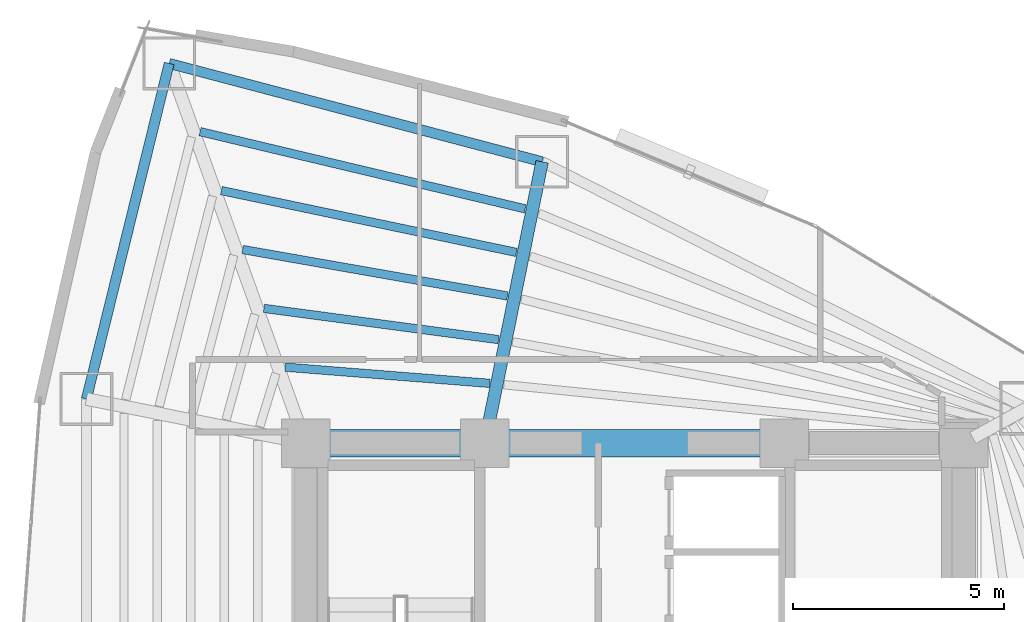
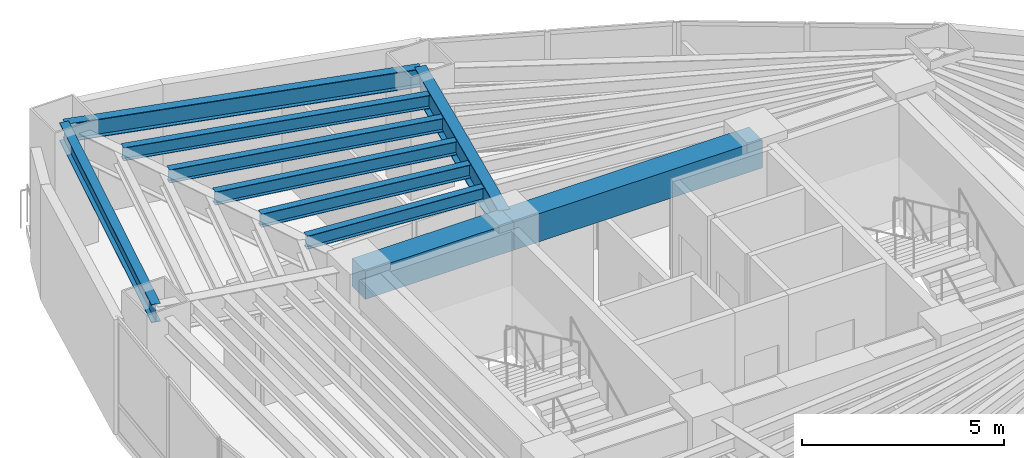
# One storey, part 8 of 18: 10 beams.
"""IFC4 building model written with IfcOpenShell, lengths in metres."""

from ifc_helpers import new_model, si_unit, direction, frame, origin, origin_2d, place, context, subcontext, project, spatial, rectangle, i_section, extrude, material, material_profile, profile_set, type_object, element, save


model = new_model("IFC4")

# Units and contexts
model_context = context("Model", 3, precision=1e-05, world=origin(), true_north=direction((0.0, 1.0)))
body_context = subcontext(model_context, "Body", "Model", "MODEL_VIEW")
ifc_project = project(units=[si_unit("LENGTHUNIT", "METRE"), si_unit("AREAUNIT", "SQUARE_METRE"), si_unit("VOLUMEUNIT", "CUBIC_METRE"), si_unit("PLANEANGLEUNIT", "RADIAN"), si_unit("MASSUNIT", "GRAM", prefix="KILO")], contexts=[model_context])

# Site, building, storey
site_placement = place(None, origin())
site = spatial("IfcSite", under=ifc_project, at=site_placement, CompositionType="ELEMENT")
building_placement = place(site_placement, origin())
building = spatial("IfcBuilding", under=site, at=building_placement, Name="Menara Vayukalpa", CompositionType="ELEMENT")
storey_placement = place(building_placement, frame((0.0, 0.0, 130.02001953125)))
storey = spatial("IfcBuildingStorey", under=building, at=storey_placement, Name="L32", CompositionType="ELEMENT", Elevation=130.02001953125)

# Beams
ifc_material_1 = material(Name="Concrete C60/75", Category="concrete")
ifc_material_profile_1 = material_profile(ifc_material_1, rectangle(XDim=0.64990234375, YDim=0.85009765625, at=origin_2d()), Name="RC 650x850")
ifc_profile_set_1 = profile_set([ifc_material_profile_1], Name="Concrete C60/75")
beam_type_1 = type_object("IfcBeamType", Name="BM-CB1", PredefinedType="BEAM", material=ifc_profile_set_1)
beam_1_placement = place(storey_placement, frame((17.800048828125, 26.800048828125, 3.044921875), z_axis=(1.0, 0.0, 0.0), x_axis=(0.0, 1.0, 0.0)))
element("IfcBeam", 1, at=beam_1_placement, inside=storey, type_object=beam_type_1, Name="L32 Core Tie Beam CBR4", PredefinedType="BEAM", context=body_context, shape_type="SweptSolid", body=[
    extrude(rectangle(XDim=0.64990234375, YDim=0.85009765625, at=origin_2d()), origin(), (0.0, 0.0, 1.0), 4.25),
])
beam_2_placement = place(storey_placement, frame((22.050048828125, 26.800048828125, 3.044921875), z_axis=(1.0, 0.0, 0.0), x_axis=(0.0, 1.0, 0.0)))
element("IfcBeam", 2, at=beam_2_placement, inside=storey, type_object=beam_type_1, Name="L32 Core Tie Beam CBR5", PredefinedType="BEAM", context=body_context, shape_type="SweptSolid", body=[
    extrude(rectangle(XDim=0.64990234375, YDim=0.85009765625, at=origin_2d()), origin(), (0.0, 0.0, 1.0), 7.099853515625),
])
ifc_material_2 = material(Name="Steel S355", Category="steel")
ifc_material_profile_2 = material_profile(ifc_material_2, i_section(OverallWidth=0.300048828125, OverallDepth=0.800048828125, WebThickness=0.013916015625, FlangeThickness=0.02587890625, at=origin_2d()), Name="WF 800x300x14x26")
ifc_profile_set_2 = profile_set([ifc_material_profile_2], Name="Steel S355")
beam_type_2 = type_object("IfcBeamType", Name="BM-PG3", PredefinedType="BEAM", material=ifc_profile_set_2)
beam_3_placement = place(storey_placement, frame((22.099853515625, 27.044921875, 3.070068359375), z_axis=(0.199617728418, 0.9798738503, 0.0), x_axis=(-0.9798738503, 0.199617728418, 0.0)))
element("IfcBeam", 3, at=beam_3_placement, inside=storey, type_object=beam_type_2, Name="L32 Primary Radial Girder RG03", PredefinedType="BEAM", context=body_context, shape_type="SweptSolid", body=[
    extrude(i_section(OverallWidth=0.300048828125, OverallDepth=0.800048828125, WebThickness=0.013916015625, FlangeThickness=0.02587890625, at=origin_2d()), origin(), (0.0, 0.0, 1.0), 6.55419921875),
])
ifc_material_3 = material(Name="Steel S355", Category="steel")
ifc_material_profile_3 = material_profile(ifc_material_3, i_section(OverallWidth=0.199951171875, OverallDepth=0.39990234375, WebThickness=0.008056640625, FlangeThickness=0.012939453125, at=origin_2d()), Name="WF 400x200x8x13")
ifc_profile_set_3 = profile_set([ifc_material_profile_3], Name="Steel S355")
beam_type_3 = type_object("IfcBeamType", Name="BM-SJ2", PredefinedType="JOIST", material=ifc_profile_set_3)
beam_4_placement = place(storey_placement, frame((22.166015625, 28.214599609375, 3.27001953125), z_axis=(-0.996868534468, 0.079076703187, 0.0), x_axis=(-0.079076703187, -0.996868534468, 0.0)))
element("IfcBeam", 4, at=beam_4_placement, inside=storey, type_object=beam_type_3, Name="L32 Secondary Floor Joist SJ03-1", PredefinedType="JOIST", context=body_context, shape_type="SweptSolid", body=[
    extrude(i_section(OverallWidth=0.199951171875, OverallDepth=0.39990234375, WebThickness=0.008056640625, FlangeThickness=0.012939453125, at=origin_2d()), origin(), (0.0, 0.0, 1.0), 4.862548828125),
])
beam_5_placement = place(storey_placement, frame((22.376220703125, 29.251220703125, 3.27001953125), z_axis=(-0.991248408809, 0.132009817941, 0.0), x_axis=(-0.132009817941, -0.991248408809, 0.0)))
element("IfcBeam", 5, at=beam_5_placement, inside=storey, type_object=beam_type_3, Name="L32 Secondary Floor Joist SJ03-2", PredefinedType="JOIST", context=body_context, shape_type="SweptSolid", body=[
    extrude(i_section(OverallWidth=0.199951171875, OverallDepth=0.39990234375, WebThickness=0.008056640625, FlangeThickness=0.012939453125, at=origin_2d()), origin(), (0.0, 0.0, 1.0), 5.611083984375),
])
beam_6_placement = place(storey_placement, frame((22.586669921875, 30.28564453125, 3.27001953125), z_axis=(-0.984953935883, 0.172817083033, 0.0), x_axis=(-0.172817083033, -0.984953935883, 0.0)))
element("IfcBeam", 6, at=beam_6_placement, inside=storey, type_object=beam_type_3, Name="L32 Secondary Floor Joist SJ03-3", PredefinedType="JOIST", context=body_context, shape_type="SweptSolid", body=[
    extrude(i_section(OverallWidth=0.199951171875, OverallDepth=0.39990234375, WebThickness=0.008056640625, FlangeThickness=0.012939453125, at=origin_2d()), origin(), (0.0, 0.0, 1.0), 6.372802734375),
])
beam_7_placement = place(storey_placement, frame((22.797119140625, 31.318603515625, 3.27001953125), z_axis=(-0.978749487369, 0.205059603471, 0.0), x_axis=(-0.205059603471, -0.978749487369, 0.0)))
element("IfcBeam", 7, at=beam_7_placement, inside=storey, type_object=beam_type_3, Name="L32 Secondary Floor Joist SJ03-4", PredefinedType="JOIST", context=body_context, shape_type="SweptSolid", body=[
    extrude(i_section(OverallWidth=0.199951171875, OverallDepth=0.39990234375, WebThickness=0.008056640625, FlangeThickness=0.012939453125, at=origin_2d()), origin(), (0.0, 0.0, 1.0), 7.1435546875),
])
beam_8_placement = place(storey_placement, frame((23.00732421875, 32.3505859375, 3.27001953125), z_axis=(-0.97293603101, 0.231074619036, 0.0), x_axis=(-0.231074619036, -0.97293603101, 0.0)))
element("IfcBeam", 8, at=beam_8_placement, inside=storey, type_object=beam_type_3, Name="L32 Secondary Floor Joist SJ03-5", PredefinedType="JOIST", context=body_context, shape_type="SweptSolid", body=[
    extrude(i_section(OverallWidth=0.199951171875, OverallDepth=0.39990234375, WebThickness=0.008056640625, FlangeThickness=0.012939453125, at=origin_2d()), origin(), (0.0, 0.0, 1.0), 7.9208984375),
])
ifc_material_4 = material(Name="Steel S355", Category="steel")
ifc_material_profile_4 = material_profile(ifc_material_4, i_section(OverallWidth=0.239990234375, OverallDepth=0.550048828125, WebThickness=0.010986328125, FlangeThickness=0.01904296875, at=origin_2d()), Name="WF 550x240x11x19")
ifc_profile_set_4 = profile_set([ifc_material_profile_4], Name="Steel S355")
beam_type_4 = type_object("IfcBeamType", Name="BM-SP2", PredefinedType="SPANDREL", material=ifc_profile_set_4)
beam_9_placement = place(storey_placement, frame((23.408203125, 33.46728515625, 3.195068359375), z_axis=(-0.966966857313, 0.254902131921, 0.0), x_axis=(-0.254902131921, -0.966966857313, 0.0)))
element("IfcBeam", 9, at=beam_9_placement, inside=storey, type_object=beam_type_4, Name="L32 Perimeter Spandrel Beam SP03", PredefinedType="SPANDREL", context=body_context, shape_type="SweptSolid", body=[
    extrude(i_section(OverallWidth=0.239990234375, OverallDepth=0.550048828125, WebThickness=0.010986328125, FlangeThickness=0.01904296875, at=origin_2d()), origin(), (0.0, 0.0, 1.0), 9.14111328125),
])
beam_10_placement = place(storey_placement, frame((14.569091796875, 35.79736328125, 3.195068359375), z_axis=(-0.239602739234, -0.970871014786, 0.0), x_axis=(0.970871014786, -0.239602739234, 0.0)))
element("IfcBeam", 10, at=beam_10_placement, inside=storey, type_object=beam_type_4, Name="L32 Perimeter Spandrel Beam SP04", PredefinedType="SPANDREL", context=body_context, shape_type="SweptSolid", body=[
    extrude(i_section(OverallWidth=0.239990234375, OverallDepth=0.550048828125, WebThickness=0.010986328125, FlangeThickness=0.01904296875, at=origin_2d()), origin(), (0.0, 0.0, 1.0), 8.190185546875),
])

save(model, "model.ifc")
